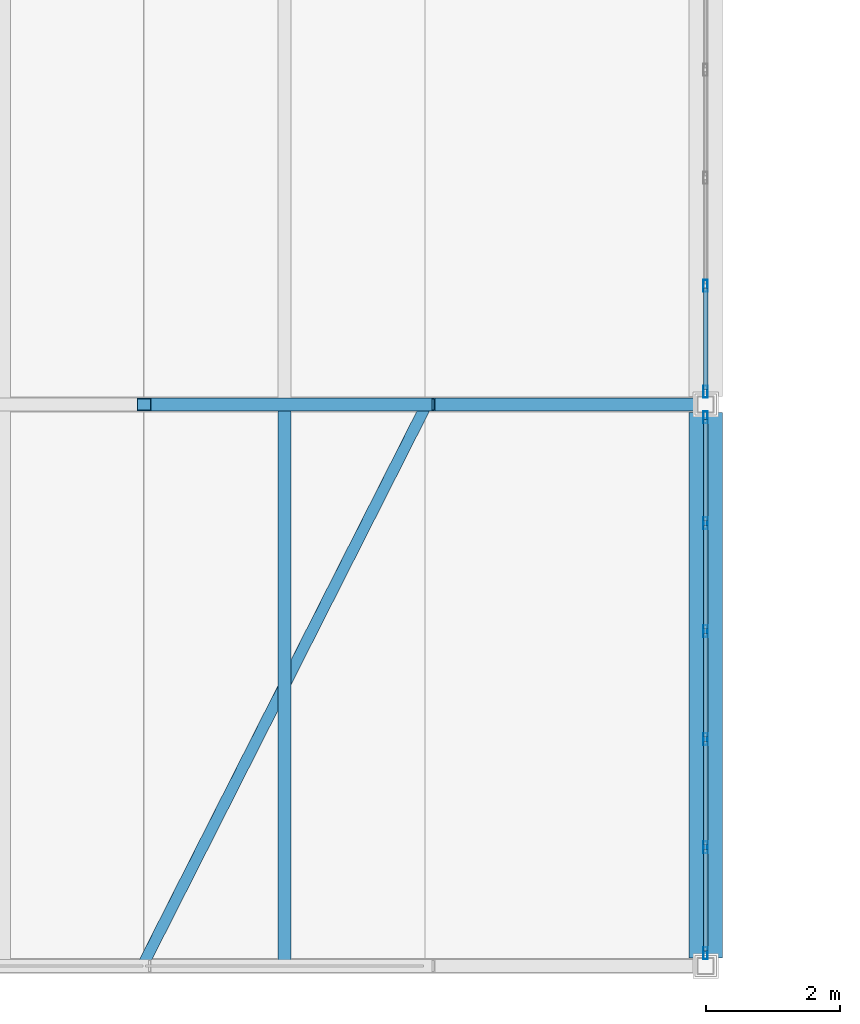
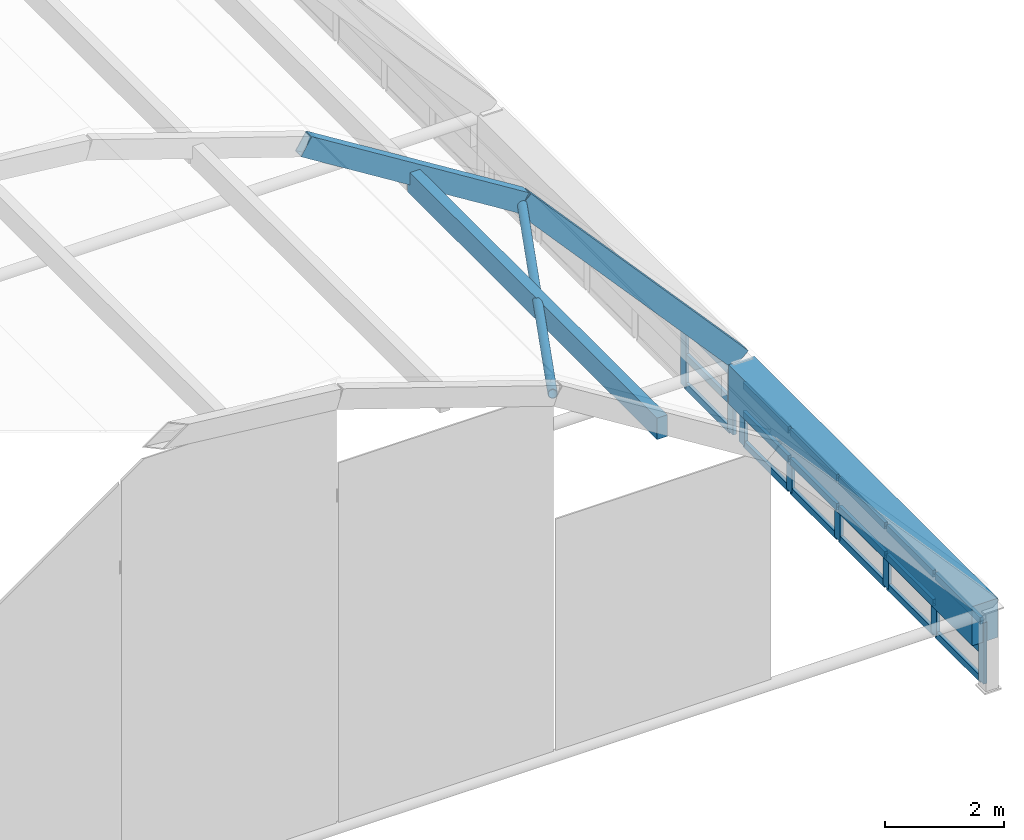
# One storey, part 21 of 114: 28 members, 3 beams, 2 elements without a shape of their own.
"""IFC4 building model written with IfcOpenShell, lengths in metres."""

from ifc_helpers import new_model, si_unit, direction, frame, origin, origin_2d, place, context, subcontext, project, spatial, rectangle, hollow_rectangle, hollow_circle, extrude, material, layer, layer_set, material_profile, profile_set, type_object, element, aggregate, save


model = new_model("IFC4")

# Units and contexts
model_context = context("Model", 3, precision=1e-05, world=origin(), true_north=direction((0.0, 1.0)))
body_context = subcontext(model_context, "Body", "Model", "MODEL_VIEW")
ifc_project = project(units=[si_unit("LENGTHUNIT", "METRE"), si_unit("AREAUNIT", "SQUARE_METRE"), si_unit("VOLUMEUNIT", "CUBIC_METRE"), si_unit("PLANEANGLEUNIT", "RADIAN"), si_unit("MASSUNIT", "GRAM", prefix="KILO")], contexts=[model_context])

# Site, building, storey
site_placement = place(None, origin())
site = spatial("IfcSite", under=ifc_project, at=site_placement, CompositionType="ELEMENT")
building_placement = place(site_placement, origin())
building = spatial("IfcBuilding", under=site, at=building_placement, Name="Xazarin Passage Department Store", CompositionType="ELEMENT")
storey_placement = place(building_placement, frame((0.0, 0.0, 14.39990234375)))
storey = spatial("IfcBuildingStorey", under=building, at=storey_placement, Name="L03", CompositionType="ELEMENT", Elevation=14.39990234375)

# Curtain wall, members
ifc_material_1 = material(Name="Bronze anodised aluminium", Category="aluminium")
ifc_layer = layer(ifc_material_1, 0.159912109375)
ifc_layer_set = layer_set([ifc_layer], Name="Bronze anodised aluminium")
curtain_wall_type = type_object("IfcCurtainWallType", Name="ARC-CW-ARC1", PredefinedType="NOTDEFINED", material=ifc_layer_set)
curtain_wall_1_placement = place(storey_placement, origin())
curtain_wall_1 = element("IfcCurtainWall", 1, at=curtain_wall_1_placement, inside=storey, type_object=curtain_wall_type, Name="L03 V2S Galleria Clerestory Curtain Wall 1E", PredefinedType="NOTDEFINED")
ifc_material_profile_1 = material_profile(ifc_material_1, hollow_rectangle(XDim=0.06494140625, YDim=0.179931640625, WallThickness=0.00390625, at=origin_2d()), Name="ALU 65x180")
ifc_profile_set_1 = profile_set([ifc_material_profile_1], Name="Bronze anodised aluminium")
member_type_1 = type_object("IfcMemberType", Name="ARC-CWM-65x180", PredefinedType="MULLION", material=ifc_profile_set_1)
member_1_placement = place(storey_placement, frame((101.60009765625, 0.1923828125, 0.0), z_axis=(0.0, 0.0, 1.0), x_axis=(-1.0, 0.0, 0.0)))
member_1 = element("IfcMember", 2, at=member_1_placement, type_object=member_type_1, Name="CW3 mullion 1", PredefinedType="MULLION", context=body_context, shape_type="SweptSolid", body=[
    extrude(hollow_rectangle(XDim=0.06494140625, YDim=0.179931640625, WallThickness=0.00390625, at=origin_2d()), origin(), (0.0, 0.0, 1.0), 1.251708984375),
])
member_2_placement = place(storey_placement, frame((101.60009765625, 1.77587890625, 0.0), z_axis=(0.0, 0.0, 1.0), x_axis=(-1.0, 0.0, 0.0)))
member_2 = element("IfcMember", 3, at=member_2_placement, type_object=member_type_1, Name="CW3 mullion 2", PredefinedType="MULLION", context=body_context, shape_type="SweptSolid", body=[
    extrude(hollow_rectangle(XDim=0.06494140625, YDim=0.179931640625, WallThickness=0.00390625, at=origin_2d()), origin(), (0.0, 0.0, 1.0), 1.251708984375),
])
member_3_placement = place(storey_placement, frame((101.60009765625, 3.39208984375, 0.0), z_axis=(0.0, 0.0, 1.0), x_axis=(-1.0, 0.0, 0.0)))
member_3 = element("IfcMember", 4, at=member_3_placement, type_object=member_type_1, Name="CW3 mullion 3", PredefinedType="MULLION", context=body_context, shape_type="SweptSolid", body=[
    extrude(hollow_rectangle(XDim=0.06494140625, YDim=0.179931640625, WallThickness=0.00390625, at=origin_2d()), origin(), (0.0, 0.0, 1.0), 1.251708984375),
])
member_4_placement = place(storey_placement, frame((101.60009765625, 5.008056640625, 0.0), z_axis=(0.0, 0.0, 1.0), x_axis=(-1.0, 0.0, 0.0)))
member_4 = element("IfcMember", 5, at=member_4_placement, type_object=member_type_1, Name="CW3 mullion 4", PredefinedType="MULLION", context=body_context, shape_type="SweptSolid", body=[
    extrude(hollow_rectangle(XDim=0.06494140625, YDim=0.179931640625, WallThickness=0.00390625, at=origin_2d()), origin(), (0.0, 0.0, 1.0), 1.251708984375),
])
member_5_placement = place(storey_placement, frame((101.60009765625, 6.6240234375, 0.0), z_axis=(0.0, 0.0, 1.0), x_axis=(-1.0, 0.0, 0.0)))
member_5 = element("IfcMember", 6, at=member_5_placement, type_object=member_type_1, Name="CW3 mullion 5", PredefinedType="MULLION", context=body_context, shape_type="SweptSolid", body=[
    extrude(hollow_rectangle(XDim=0.06494140625, YDim=0.179931640625, WallThickness=0.00390625, at=origin_2d()), origin(), (0.0, 0.0, 1.0), 1.251708984375),
])
member_6_placement = place(storey_placement, frame((101.60009765625, 8.20751953125, 0.0), z_axis=(0.0, 0.0, 1.0), x_axis=(-1.0, 0.0, 0.0)))
member_6 = element("IfcMember", 7, at=member_6_placement, type_object=member_type_1, Name="CW3 mullion 6", PredefinedType="MULLION", context=body_context, shape_type="SweptSolid", body=[
    extrude(hollow_rectangle(XDim=0.06494140625, YDim=0.179931640625, WallThickness=0.00390625, at=origin_2d()), origin(), (0.0, 0.0, 1.0), 1.251708984375),
])

curtain_wall_2_placement = place(storey_placement, origin())
curtain_wall_2 = element("IfcCurtainWall", 8, at=curtain_wall_2_placement, inside=storey, type_object=curtain_wall_type, Name="L03 V2S Galleria Clerestory Curtain Wall 2E", PredefinedType="NOTDEFINED")
member_7_placement = place(storey_placement, frame((101.60009765625, 8.592529296875, 0.0), z_axis=(0.0, 0.0, 1.0), x_axis=(-1.0, 0.0, 0.0)))
member_7 = element("IfcMember", 9, at=member_7_placement, type_object=member_type_1, Name="CW3 mullion 1", PredefinedType="MULLION", context=body_context, shape_type="SweptSolid", body=[
    extrude(hollow_rectangle(XDim=0.06494140625, YDim=0.179931640625, WallThickness=0.00390625, at=origin_2d()), origin(), (0.0, 0.0, 1.0), 1.251708984375),
])
member_8_placement = place(storey_placement, frame((101.60009765625, 10.176025390625, 0.0), z_axis=(0.0, 0.0, 1.0), x_axis=(-1.0, 0.0, 0.0)))
member_8 = element("IfcMember", 10, at=member_8_placement, type_object=member_type_1, Name="CW3 mullion 2", PredefinedType="MULLION", context=body_context, shape_type="SweptSolid", body=[
    extrude(hollow_rectangle(XDim=0.06494140625, YDim=0.179931640625, WallThickness=0.00390625, at=origin_2d()), origin(), (0.0, 0.0, 1.0), 1.251708984375),
])

# Member
ifc_material_profile_2 = material_profile(ifc_material_1, hollow_rectangle(XDim=0.06494140625, YDim=0.139892578125, WallThickness=0.00390625, at=origin_2d()), Name="ALU 65x140")
ifc_profile_set_2 = profile_set([ifc_material_profile_2], Name="Bronze anodised aluminium")
member_type_2 = type_object("IfcMemberType", Name="ARC-CWT-65x140", PredefinedType="USERDEFINED", material=ifc_profile_set_2)
member_9_placement = place(storey_placement, frame((101.60009765625, 0.22509765625, 0.03271484375), z_axis=(0.0, 1.0, 0.0), x_axis=(-1.0, 0.0, 0.0)))
member_9 = element("IfcMember", 11, at=member_9_placement, type_object=member_type_2, Name="CW3 transom 1.1", ObjectType="TRANSOM", PredefinedType="USERDEFINED", context=body_context, shape_type="SweptSolid", body=[
    extrude(hollow_rectangle(XDim=0.06494140625, YDim=0.139892578125, WallThickness=0.00390625, at=origin_2d()), origin(), (0.0, 0.0, 1.0), 1.518310546875),
])

member_10_placement = place(storey_placement, frame((101.60009765625, 0.22509765625, 0.6259765625), z_axis=(0.0, 1.0, 0.0), x_axis=(-1.0, 0.0, 0.0)))
member_10 = element("IfcMember", 12, at=member_10_placement, type_object=member_type_2, Name="CW3 transom 1.2", ObjectType="TRANSOM", PredefinedType="USERDEFINED", context=body_context, shape_type="SweptSolid", body=[
    extrude(hollow_rectangle(XDim=0.06494140625, YDim=0.139892578125, WallThickness=0.00390625, at=origin_2d()), origin(), (0.0, 0.0, 1.0), 1.518310546875),
])

member_11_placement = place(storey_placement, frame((101.60009765625, 0.22509765625, 1.21923828125), z_axis=(0.0, 1.0, 0.0), x_axis=(-1.0, 0.0, 0.0)))
member_11 = element("IfcMember", 13, at=member_11_placement, type_object=member_type_2, Name="CW3 transom 1.3", ObjectType="TRANSOM", PredefinedType="USERDEFINED", context=body_context, shape_type="SweptSolid", body=[
    extrude(hollow_rectangle(XDim=0.06494140625, YDim=0.139892578125, WallThickness=0.00390625, at=origin_2d()), origin(), (0.0, 0.0, 1.0), 1.518310546875),
])

member_12_placement = place(storey_placement, frame((101.60009765625, 1.80859375, 0.03271484375), z_axis=(0.0, 1.0, 0.0), x_axis=(-1.0, 0.0, 0.0)))
member_12 = element("IfcMember", 14, at=member_12_placement, type_object=member_type_2, Name="CW3 transom 2.1", ObjectType="TRANSOM", PredefinedType="USERDEFINED", context=body_context, shape_type="SweptSolid", body=[
    extrude(hollow_rectangle(XDim=0.06494140625, YDim=0.139892578125, WallThickness=0.00390625, at=origin_2d()), origin(), (0.0, 0.0, 1.0), 1.551025390625),
])

member_13_placement = place(storey_placement, frame((101.60009765625, 1.80859375, 0.6259765625), z_axis=(0.0, 1.0, 0.0), x_axis=(-1.0, 0.0, 0.0)))
member_13 = element("IfcMember", 15, at=member_13_placement, type_object=member_type_2, Name="CW3 transom 2.2", ObjectType="TRANSOM", PredefinedType="USERDEFINED", context=body_context, shape_type="SweptSolid", body=[
    extrude(hollow_rectangle(XDim=0.06494140625, YDim=0.139892578125, WallThickness=0.00390625, at=origin_2d()), origin(), (0.0, 0.0, 1.0), 1.551025390625),
])

member_14_placement = place(storey_placement, frame((101.60009765625, 1.80859375, 1.21923828125), z_axis=(0.0, 1.0, 0.0), x_axis=(-1.0, 0.0, 0.0)))
member_14 = element("IfcMember", 16, at=member_14_placement, type_object=member_type_2, Name="CW3 transom 2.3", ObjectType="TRANSOM", PredefinedType="USERDEFINED", context=body_context, shape_type="SweptSolid", body=[
    extrude(hollow_rectangle(XDim=0.06494140625, YDim=0.139892578125, WallThickness=0.00390625, at=origin_2d()), origin(), (0.0, 0.0, 1.0), 1.551025390625),
])

member_15_placement = place(storey_placement, frame((101.60009765625, 3.424560546875, 0.03271484375), z_axis=(0.0, 1.0, 0.0), x_axis=(-1.0, 0.0, 0.0)))
member_15 = element("IfcMember", 17, at=member_15_placement, type_object=member_type_2, Name="CW3 transom 3.1", ObjectType="TRANSOM", PredefinedType="USERDEFINED", context=body_context, shape_type="SweptSolid", body=[
    extrude(hollow_rectangle(XDim=0.06494140625, YDim=0.139892578125, WallThickness=0.00390625, at=origin_2d()), origin(), (0.0, 0.0, 1.0), 1.551025390625),
])

member_16_placement = place(storey_placement, frame((101.60009765625, 3.424560546875, 0.6259765625), z_axis=(0.0, 1.0, 0.0), x_axis=(-1.0, 0.0, 0.0)))
member_16 = element("IfcMember", 18, at=member_16_placement, type_object=member_type_2, Name="CW3 transom 3.2", ObjectType="TRANSOM", PredefinedType="USERDEFINED", context=body_context, shape_type="SweptSolid", body=[
    extrude(hollow_rectangle(XDim=0.06494140625, YDim=0.139892578125, WallThickness=0.00390625, at=origin_2d()), origin(), (0.0, 0.0, 1.0), 1.551025390625),
])

member_17_placement = place(storey_placement, frame((101.60009765625, 3.424560546875, 1.21923828125), z_axis=(0.0, 1.0, 0.0), x_axis=(-1.0, 0.0, 0.0)))
member_17 = element("IfcMember", 19, at=member_17_placement, type_object=member_type_2, Name="CW3 transom 3.3", ObjectType="TRANSOM", PredefinedType="USERDEFINED", context=body_context, shape_type="SweptSolid", body=[
    extrude(hollow_rectangle(XDim=0.06494140625, YDim=0.139892578125, WallThickness=0.00390625, at=origin_2d()), origin(), (0.0, 0.0, 1.0), 1.551025390625),
])

member_18_placement = place(storey_placement, frame((101.60009765625, 5.04052734375, 0.03271484375), z_axis=(0.0, 1.0, 0.0), x_axis=(-1.0, 0.0, 0.0)))
member_18 = element("IfcMember", 20, at=member_18_placement, type_object=member_type_2, Name="CW3 transom 4.1", ObjectType="TRANSOM", PredefinedType="USERDEFINED", context=body_context, shape_type="SweptSolid", body=[
    extrude(hollow_rectangle(XDim=0.06494140625, YDim=0.139892578125, WallThickness=0.00390625, at=origin_2d()), origin(), (0.0, 0.0, 1.0), 1.551025390625),
])

member_19_placement = place(storey_placement, frame((101.60009765625, 5.04052734375, 0.6259765625), z_axis=(0.0, 1.0, 0.0), x_axis=(-1.0, 0.0, 0.0)))
member_19 = element("IfcMember", 21, at=member_19_placement, type_object=member_type_2, Name="CW3 transom 4.2", ObjectType="TRANSOM", PredefinedType="USERDEFINED", context=body_context, shape_type="SweptSolid", body=[
    extrude(hollow_rectangle(XDim=0.06494140625, YDim=0.139892578125, WallThickness=0.00390625, at=origin_2d()), origin(), (0.0, 0.0, 1.0), 1.551025390625),
])

member_20_placement = place(storey_placement, frame((101.60009765625, 5.04052734375, 1.21923828125), z_axis=(0.0, 1.0, 0.0), x_axis=(-1.0, 0.0, 0.0)))
member_20 = element("IfcMember", 22, at=member_20_placement, type_object=member_type_2, Name="CW3 transom 4.3", ObjectType="TRANSOM", PredefinedType="USERDEFINED", context=body_context, shape_type="SweptSolid", body=[
    extrude(hollow_rectangle(XDim=0.06494140625, YDim=0.139892578125, WallThickness=0.00390625, at=origin_2d()), origin(), (0.0, 0.0, 1.0), 1.551025390625),
])

member_21_placement = place(storey_placement, frame((101.60009765625, 6.656494140625, 0.03271484375), z_axis=(0.0, 1.0, 0.0), x_axis=(-1.0, 0.0, 0.0)))
member_21 = element("IfcMember", 23, at=member_21_placement, type_object=member_type_2, Name="CW3 transom 5.1", ObjectType="TRANSOM", PredefinedType="USERDEFINED", context=body_context, shape_type="SweptSolid", body=[
    extrude(hollow_rectangle(XDim=0.06494140625, YDim=0.139892578125, WallThickness=0.00390625, at=origin_2d()), origin(), (0.0, 0.0, 1.0), 1.5185546875),
])

member_22_placement = place(storey_placement, frame((101.60009765625, 6.656494140625, 0.6259765625), z_axis=(0.0, 1.0, 0.0), x_axis=(-1.0, 0.0, 0.0)))
member_22 = element("IfcMember", 24, at=member_22_placement, type_object=member_type_2, Name="CW3 transom 5.2", ObjectType="TRANSOM", PredefinedType="USERDEFINED", context=body_context, shape_type="SweptSolid", body=[
    extrude(hollow_rectangle(XDim=0.06494140625, YDim=0.139892578125, WallThickness=0.00390625, at=origin_2d()), origin(), (0.0, 0.0, 1.0), 1.5185546875),
])

member_23_placement = place(storey_placement, frame((101.60009765625, 6.656494140625, 1.21923828125), z_axis=(0.0, 1.0, 0.0), x_axis=(-1.0, 0.0, 0.0)))
member_23 = element("IfcMember", 25, at=member_23_placement, type_object=member_type_2, Name="CW3 transom 5.3", ObjectType="TRANSOM", PredefinedType="USERDEFINED", context=body_context, shape_type="SweptSolid", body=[
    extrude(hollow_rectangle(XDim=0.06494140625, YDim=0.139892578125, WallThickness=0.00390625, at=origin_2d()), origin(), (0.0, 0.0, 1.0), 1.5185546875),
])

aggregate(curtain_wall_1, [member_1, member_2, member_3, member_4, member_5, member_6, member_9, member_10, member_11, member_12, member_13, member_14, member_15, member_16, member_17, member_18, member_19, member_20, member_21, member_22, member_23])

member_24_placement = place(storey_placement, frame((101.60009765625, 8.625, 0.03271484375), z_axis=(0.0, 1.0, 0.0), x_axis=(-1.0, 0.0, 0.0)))
member_24 = element("IfcMember", 26, at=member_24_placement, type_object=member_type_2, Name="CW3 transom 1.1", ObjectType="TRANSOM", PredefinedType="USERDEFINED", context=body_context, shape_type="SweptSolid", body=[
    extrude(hollow_rectangle(XDim=0.06494140625, YDim=0.139892578125, WallThickness=0.00390625, at=origin_2d()), origin(), (0.0, 0.0, 1.0), 1.5185546875),
])

member_25_placement = place(storey_placement, frame((101.60009765625, 8.625, 0.6259765625), z_axis=(0.0, 1.0, 0.0), x_axis=(-1.0, 0.0, 0.0)))
member_25 = element("IfcMember", 27, at=member_25_placement, type_object=member_type_2, Name="CW3 transom 1.2", ObjectType="TRANSOM", PredefinedType="USERDEFINED", context=body_context, shape_type="SweptSolid", body=[
    extrude(hollow_rectangle(XDim=0.06494140625, YDim=0.139892578125, WallThickness=0.00390625, at=origin_2d()), origin(), (0.0, 0.0, 1.0), 1.5185546875),
])

member_26_placement = place(storey_placement, frame((101.60009765625, 8.625, 1.21923828125), z_axis=(0.0, 1.0, 0.0), x_axis=(-1.0, 0.0, 0.0)))
member_26 = element("IfcMember", 28, at=member_26_placement, type_object=member_type_2, Name="CW3 transom 1.3", ObjectType="TRANSOM", PredefinedType="USERDEFINED", context=body_context, shape_type="SweptSolid", body=[
    extrude(hollow_rectangle(XDim=0.06494140625, YDim=0.139892578125, WallThickness=0.00390625, at=origin_2d()), origin(), (0.0, 0.0, 1.0), 1.5185546875),
])

aggregate(curtain_wall_2, [member_7, member_8, member_24, member_25, member_26])

# Beams
ifc_material_2 = material(Name="Steel S355", Category="steel")
ifc_material_profile_3 = material_profile(ifc_material_2, hollow_rectangle(XDim=0.199951171875, YDim=0.39990234375, WallThickness=0.01611328125, at=origin_2d()), Name="RHS 400x200x16")
ifc_profile_set_3 = profile_set([ifc_material_profile_3], Name="Steel S355")
beam_type_1 = type_object("IfcBeamType", Name="STR-BM-AR400", PredefinedType="BEAM", material=ifc_profile_set_3)
beam_1_placement = place(storey_placement, frame((93.199951171875, 8.39990234375, 8.95068359375), z_axis=(0.848571440894, 0.0, -0.529080815848), x_axis=(0.0, 1.0, 0.0)))
element("IfcBeam", 29, at=beam_1_placement, inside=storey, type_object=beam_type_1, Name="V2S Primary Arch Rib 2.7", PredefinedType="BEAM", context=body_context, shape_type="SweptSolid", body=[
    extrude(hollow_rectangle(XDim=0.199951171875, YDim=0.39990234375, WallThickness=0.01611328125, at=origin_2d()), origin(), (0.0, 0.0, 1.0), 4.949462890625),
])
beam_2_placement = place(storey_placement, frame((97.39990234375, 8.39990234375, 6.33203125), z_axis=(0.667913050078, 0.0, -0.744239314694), x_axis=(0.0, 1.0, 0.0)))
element("IfcBeam", 30, at=beam_2_placement, inside=storey, type_object=beam_type_1, Name="V2S Primary Arch Rib 2.8", PredefinedType="BEAM", context=body_context, shape_type="SweptSolid", body=[
    extrude(hollow_rectangle(XDim=0.199951171875, YDim=0.39990234375, WallThickness=0.01611328125, at=origin_2d()), origin(), (0.0, 0.0, 1.0), 6.28857421875),
])
ifc_material_3 = material(Name="Concrete C40/50", Category="concrete")
ifc_material_profile_4 = material_profile(ifc_material_3, rectangle(XDim=0.5, YDim=0.800048828125, at=origin_2d()), Name="RC 500x800")
ifc_profile_set_4 = profile_set([ifc_material_profile_4], Name="Concrete C40/50")
beam_type_2 = type_object("IfcBeamType", Name="STR-BM-RG500x800", PredefinedType="BEAM", material=ifc_profile_set_4)
beam_3_placement = place(storey_placement, frame((101.60009765625, 0.1201171875, 1.251708984375), z_axis=(0.0, 1.0, 0.0), x_axis=(-1.0, 0.0, 0.0)))
element("IfcBeam", 31, at=beam_3_placement, inside=storey, type_object=beam_type_2, Name="V2S Springing Ring Girder E-1", PredefinedType="BEAM", context=body_context, shape_type="SweptSolid", body=[
    extrude(rectangle(XDim=0.5, YDim=0.800048828125, at=origin_2d()), origin(), (0.0, 0.0, 1.0), 8.159912109375),
])

# Members
ifc_material_profile_5 = material_profile(ifc_material_2, hollow_circle(Radius=0.084228515625, WallThickness=0.010009765625, at=origin_2d()), Name="CHS 168.3x10")
ifc_profile_set_5 = profile_set([ifc_material_profile_5], Name="Steel S355")
member_type_3 = type_object("IfcMemberType", Name="STR-MEM-BR168", PredefinedType="BRACE", material=ifc_profile_set_5)
member_27_placement = place(storey_placement, frame((93.199951171875, 0.050048828125, 8.900634765625), z_axis=(0.434609592328, 0.858886375073, -0.270977299733), x_axis=(-0.892269998561, 0.451502214467, 0.0)))
element("IfcMember", 32, at=member_27_placement, inside=storey, type_object=member_type_3, Name="V2S Gridshell Diagonal Brace 1.6", PredefinedType="BRACE", context=body_context, shape_type="SweptSolid", body=[
    extrude(hollow_circle(Radius=0.084228515625, WallThickness=0.010009765625, at=origin_2d()), origin(), (0.0, 0.0, 1.0), 9.663818359375),
])
ifc_material_4 = material(Name="Glulam GL28h", Category="wood")
ifc_material_profile_6 = material_profile(ifc_material_4, rectangle(XDim=0.199951171875, YDim=0.43994140625, at=origin_2d()), Name="GL28h 200x440")
ifc_profile_set_6 = profile_set([ifc_material_profile_6], Name="Glulam GL28h")
member_type_4 = type_object("IfcMemberType", Name="STR-MEM-GL440", PredefinedType="PURLIN", material=ifc_profile_set_6)
member_28_placement = place(storey_placement, frame((95.300048828125, 0.02001953125, 7.501220703125), z_axis=(0.0, 1.0, 0.0), x_axis=(-1.0, 0.0, 0.0)))
element("IfcMember", 33, at=member_28_placement, inside=storey, type_object=member_type_4, Name="V2S Glulam Gridshell Purlin 1.7", PredefinedType="PURLIN", context=body_context, shape_type="SweptSolid", body=[
    extrude(rectangle(XDim=0.199951171875, YDim=0.43994140625, at=origin_2d()), origin(), (0.0, 0.0, 1.0), 8.35986328125),
])

save(model, "model.ifc")
